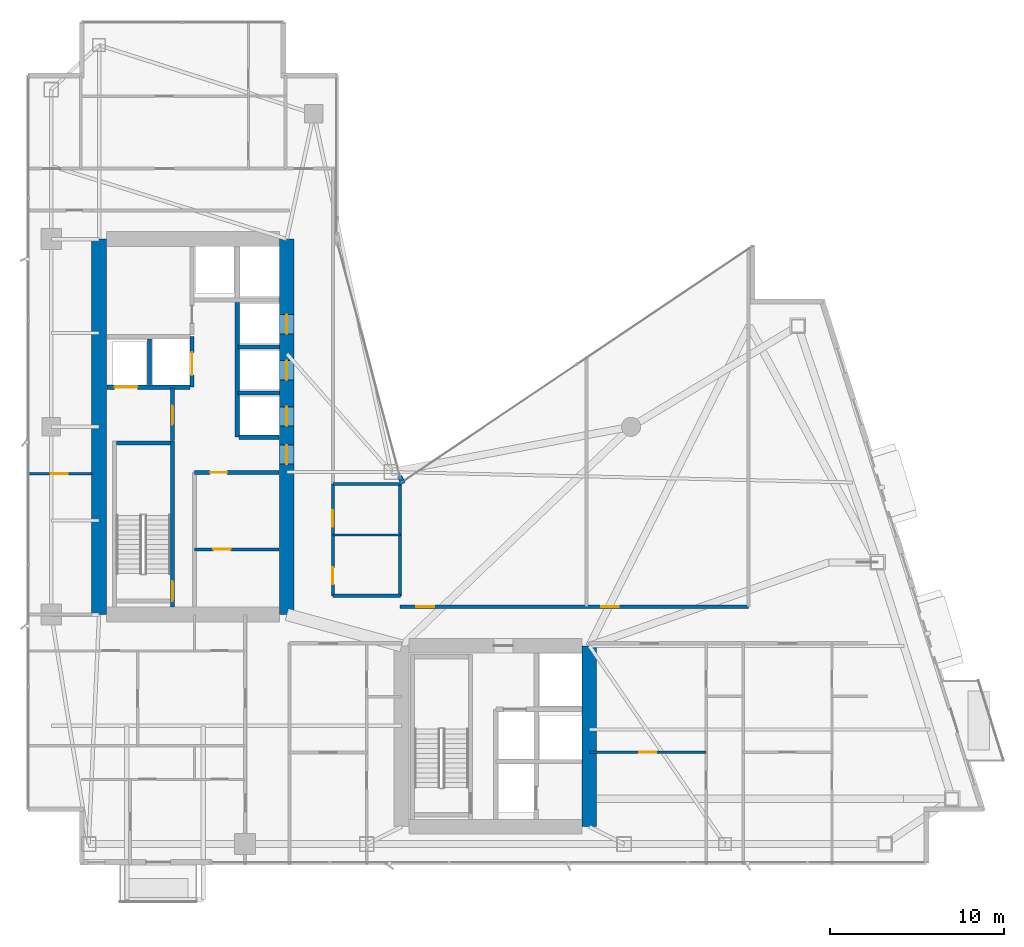
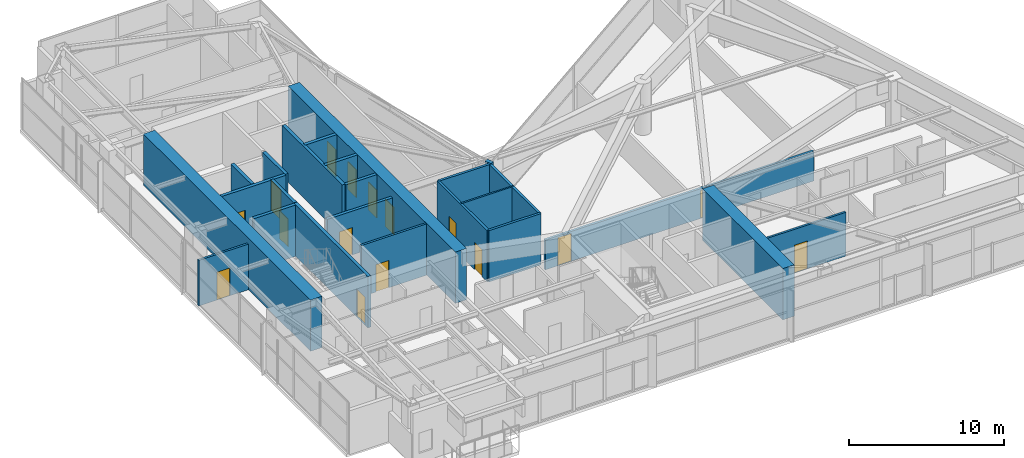
# One storey, part 25 of 30: 24 walls, 16 doors, 16 openings.
"""IFC4 building model written with IfcOpenShell, lengths in metres."""

import ifcopenshell
import ifcopenshell.guid

model = None  # the IFC model being written
_history = None  # IfcOwnerHistory: only IFC2X3 demands one
_inside = {}  # id of a spatial element -> (the spatial element, [elements in it])
_under = {}  # id of a project, library or spatial element -> (it, [spatial elements below it])
_declared = {}  # id of a project -> (the project, [libraries it declares])
_typed = {}  # id of a type object -> (the type object, [elements of that type])
_made_of = {}  # id of a material, layer set ... -> (it, [elements and type objects made of it])


def new_model(schema):
    """Start an empty IFC model of exactly this schema.

    Asked for "IFC4X3", IfcOpenShell would pick the latest addendum, in which some entities
    have other attributes; the version numbers below select the first issue.
    IFC2X3 requires an IfcOwnerHistory on every rooted entity: one is made here for all.
    """
    global model, _history
    if schema == "IFC4X3":
        model = ifcopenshell.file(schema_version=(4, 3, 0, 0))
    else:
        model = ifcopenshell.file(schema=schema)
    _inside.clear()
    _under.clear()
    _declared.clear()
    _typed.clear()
    _made_of.clear()
    _history = None
    if model.schema == "IFC2X3":
        org = make("IfcOrganization", Name="unknown")
        user = make(
            "IfcPersonAndOrganization",
            ThePerson=make("IfcPerson", FamilyName="unknown"),
            TheOrganization=org,
        )
        app = make(
            "IfcApplication",
            ApplicationDeveloper=org,
            Version="unknown",
            ApplicationFullName="unknown",
            ApplicationIdentifier="unknown",
        )
        _history = make(
            "IfcOwnerHistory",
            OwningUser=user,
            OwningApplication=app,
            ChangeAction="ADDED",
            CreationDate=0,
        )
    return model


def make(cls, **values):
    """One entity of the class cls with the attributes given. An attribute that is None is left unset."""
    return model.create_entity(
        cls, **{name: value for name, value in values.items() if value is not None}
    )


def rooted(cls, **values):
    """An entity with a GlobalId (a new one), such as an element, a storey or a relation."""
    return make(cls, GlobalId=ifcopenshell.guid.new(), OwnerHistory=_history, **values)


def si_unit(unit_type, name, prefix=None):
    """IfcSIUnit, for example si_unit("LENGTHUNIT", "METRE", prefix="MILLI")."""
    return make("IfcSIUnit", UnitType=unit_type, Prefix=prefix, Name=name)


def assignment(units):
    """IfcUnitAssignment: the units of a project."""
    return None if units is None else make("IfcUnitAssignment", Units=units)


def point(xyz):
    """IfcCartesianPoint."""
    return None if xyz is None else make("IfcCartesianPoint", Coordinates=xyz)


def direction(xyz):
    """IfcDirection."""
    return None if xyz is None else make("IfcDirection", DirectionRatios=xyz)


def frame(location, z_axis=None, x_axis=None):
    """IfcAxis2Placement3D, a coordinate frame: its origin and axes. An axis left out is left unset."""
    return make(
        "IfcAxis2Placement3D",
        Location=point(location),
        Axis=direction(z_axis),
        RefDirection=direction(x_axis),
    )


def frame_2d(location, x_axis=None):
    """IfcAxis2Placement2D, a coordinate frame in the plane: its origin and x axis."""
    return make(
        "IfcAxis2Placement2D", Location=point(location), RefDirection=direction(x_axis)
    )


def origin():
    """The frame at (0, 0, 0) with its axes left unset."""
    return frame((0.0, 0.0, 0.0))


def place(relative_to, where):
    """IfcLocalPlacement: puts the frame where relative to a parent placement (None: the world)."""
    return make(
        "IfcLocalPlacement", PlacementRelTo=relative_to, RelativePlacement=where
    )


def context(
    kind, dimensions, precision=None, world=None, true_north=None, identifier=None
):
    """IfcGeometricRepresentationContext, for example the 3D "Model" context."""
    return make(
        "IfcGeometricRepresentationContext",
        ContextIdentifier=identifier,
        ContextType=kind,
        CoordinateSpaceDimension=dimensions,
        Precision=precision,
        WorldCoordinateSystem=world,
        TrueNorth=true_north,
    )


def subcontext(parent, identifier, kind, view, scale=None):
    """IfcGeometricRepresentationSubContext, for example "Body" below "Model"."""
    return make(
        "IfcGeometricRepresentationSubContext",
        ContextIdentifier=identifier,
        ContextType=kind,
        ParentContext=parent,
        TargetScale=scale,
        TargetView=view,
    )


def project(units=None, contexts=None):
    """IfcProject with its units and contexts."""
    return rooted(
        "IfcProject",
        Name="project",
        RepresentationContexts=contexts,
        UnitsInContext=assignment(units),
    )


def spatial(cls, under=None, at=None, **own):
    """A site, building, storey or space (cls), placed at a placement, below another one or the project."""
    s = rooted(cls, ObjectPlacement=at, **own)
    if under is not None:
        _under.setdefault(under.id(), (under, []))[1].append(s)
    return s


def profile(cls, at=None, kind="AREA", **sizes):
    """A parametric profile (cls). Its sizes go by their IFC names, for example OverallWidth=200.0."""
    return make(cls, ProfileType=kind, Position=at, **sizes)


def rectangle(**sizes):
    """IfcRectangleProfileDef."""
    return profile("IfcRectangleProfileDef", **sizes)


def extrude(swept, where, along, depth):
    """IfcExtrudedAreaSolid: the profile swept, set in the frame where, extruded along a direction by depth."""
    return make(
        "IfcExtrudedAreaSolid",
        SweptArea=swept,
        Position=where,
        ExtrudedDirection=direction(along),
        Depth=depth,
    )


def shape(context_of_items, identifier, shape_type, items):
    """IfcShapeRepresentation: the items that make up one representation, for example the "Body"."""
    return make(
        "IfcShapeRepresentation",
        ContextOfItems=context_of_items,
        RepresentationIdentifier=identifier,
        RepresentationType=shape_type,
        Items=items,
    )


def material(Name=None, Category=None):
    """IfcMaterial."""
    return make("IfcMaterial", Name=Name, Category=Category)


def layer(
    of_material, thickness, ventilated=None, Name=None, Category=None, Priority=None
):
    """IfcMaterialLayer: one layer of a wall or slab, of a material (None: an air gap)."""
    return make(
        "IfcMaterialLayer",
        Material=of_material,
        LayerThickness=thickness,
        IsVentilated=ventilated,
        Name=Name,
        Category=Category,
        Priority=Priority,
    )


def layer_set(layers, Name=None):
    """IfcMaterialLayerSet."""
    return make("IfcMaterialLayerSet", MaterialLayers=layers, LayerSetName=Name)


def made_of(thing, what):
    """Note that an element or type object is made of a material, layer set ...; save() writes the relation."""
    if what is not None:
        _made_of.setdefault(what.id(), (what, []))[1].append(thing)
    return thing


def type_object(cls, material=None, **own):
    """A type object (cls), such as IfcWallType, which elements share."""
    return made_of(rooted(cls, **own), material)


def element(
    cls,
    number,
    at=None,
    inside=None,
    cuts=None,
    type_object=None,
    material=None,
    context=None,
    identifier="Body",
    shape_type=None,
    held_by="IfcProductDefinitionShape",
    body=None,
    shapes=None,
    **own,
):
    """One element of the class cls, such as IfcWall. Its Tag is "e" and its number.

    at: its placement. inside: the storey or other place that contains it. cuts: it is an
    opening in that element (IfcRelVoidsElement). A single representation is given by context,
    identifier, shape_type and body (its items); several are given by shapes. held_by: the class
    of the entity that holds the representations. save() writes the other relations.
    """
    e = rooted(cls, Tag="e%d" % number, ObjectPlacement=at, **own)
    if body is not None:
        shapes = [shape(context, identifier, shape_type, body)]
    if shapes is not None:
        e.Representation = make(held_by, Representations=shapes)
    if inside is not None:
        _inside.setdefault(inside.id(), (inside, []))[1].append(e)
    if cuts is not None:
        rooted(
            "IfcRelVoidsElement", RelatingBuildingElement=cuts, RelatedOpeningElement=e
        )
    if type_object is not None:
        _typed.setdefault(type_object.id(), (type_object, []))[1].append(e)
    return made_of(e, material)


def fill(opening, filler):
    """IfcRelFillsElement: the door or window that sits in an opening."""
    return rooted(
        "IfcRelFillsElement",
        RelatingOpeningElement=opening,
        RelatedBuildingElement=filler,
    )


def aggregate(whole, parts):
    """IfcRelAggregates: a whole, such as a stair, and the parts it consists of."""
    return rooted("IfcRelAggregates", RelatingObject=whole, RelatedObjects=parts)


def save(model, path):
    """Write the relations noted so far, then the file.

    IfcRelAggregates (storeys below a building ...), IfcRelContainedInSpatialStructure (elements
    in a storey), IfcRelDefinesByType, IfcRelAssociatesMaterial and IfcRelDeclares: one each for
    every whole, place, type object, material and project.
    """
    for whole, parts in _under.values():
        aggregate(whole, parts)
    for where, things in _inside.values():
        rooted(
            "IfcRelContainedInSpatialStructure",
            RelatedElements=things,
            RelatingStructure=where,
        )
    for kind, things in _typed.values():
        rooted("IfcRelDefinesByType", RelatedObjects=things, RelatingType=kind)
    for what, things in _made_of.values():
        rooted("IfcRelAssociatesMaterial", RelatedObjects=things, RelatingMaterial=what)
    for by, libraries in _declared.values():
        rooted("IfcRelDeclares", RelatingContext=by, RelatedDefinitions=libraries)
    model.write(path)


model = new_model("IFC4")

# Units and contexts
model_context = context("Model", 3, precision=1e-05, world=origin(), true_north=direction((0.0, 1.0)))
body_context = subcontext(model_context, "Body", "Model", "MODEL_VIEW")
ifc_project = project(units=[si_unit("LENGTHUNIT", "METRE"), si_unit("AREAUNIT", "SQUARE_METRE"), si_unit("VOLUMEUNIT", "CUBIC_METRE"), si_unit("PLANEANGLEUNIT", "RADIAN"), si_unit("MASSUNIT", "GRAM", prefix="KILO")], contexts=[model_context])

# Site, building, storey
site_placement = place(None, origin())
site = spatial("IfcSite", under=ifc_project, at=site_placement, CompositionType="ELEMENT")
building_placement = place(site_placement, origin())
building = spatial("IfcBuilding", under=site, at=building_placement, Name="Calvorn Quay Hotel", CompositionType="ELEMENT")
storey_placement = place(building_placement, frame((0.0, 0.0, 195.10009765625)))
storey = spatial("IfcBuildingStorey", under=building, at=storey_placement, Name="L48", CompositionType="ELEMENT", Elevation=195.10009765625)

# Wall
ifc_material_1 = material(Name="Concrete C50", Category="concrete")
ifc_layer_1 = layer(ifc_material_1, 0.85009765625)
ifc_layer_set_1 = layer_set([ifc_layer_1], Name="WL-CORE-850")
wall_type_1 = type_object("IfcWallType", Name="WL-CORE-850", PredefinedType="SHEAR", material=ifc_layer_set_1)
wall_1_placement = place(storey_placement, frame((4.199951171875, 16.800048828125, 0.0), z_axis=(0.0, 0.0, 1.0), x_axis=(0.0, 1.0, 0.0)))
element("IfcWall", 1, at=wall_1_placement, inside=storey, type_object=wall_type_1, Name="West Core Shear Wall W (L48)", PredefinedType="SHEAR", context=body_context, shape_type="SweptSolid", body=[
    extrude(rectangle(XDim=21.599853515625, YDim=0.85009765625, at=frame_2d((10.7998046875, 0.0))), origin(), (0.0, 0.0, 1.0), 4.0498046875),
])

# Wall, openings, doors
wall_2_placement = place(storey_placement, frame((15.0, 16.800048828125, 0.0), z_axis=(0.0, 0.0, 1.0), x_axis=(0.0, 1.0, 0.0)))
wall_2 = element("IfcWall", 2, at=wall_2_placement, inside=storey, type_object=wall_type_1, Name="West Core Shear Wall E (L48)", PredefinedType="SHEAR", context=body_context, shape_type="SweptSolid", body=[
    extrude(rectangle(XDim=21.599853515625, YDim=0.85009765625, at=frame_2d((10.7998046875, 0.0))), origin(), (0.0, 0.0, 1.0), 4.0498046875),
])
opening_1_placement = place(wall_2_placement, frame((8.64990234375, 0.0, 0.0)))
opening_1 = element("IfcOpeningElement", 3, at=opening_1_placement, cuts=wall_2, Name="Opening D-L48-CW1", PredefinedType="OPENING", context=body_context, shape_type="SweptSolid", body=[
    extrude(rectangle(XDim=1.10009765625, YDim=2.199951171875, at=frame_2d((0.550048828125, 1.10009765625))), frame((0.0, 0.43505859375, 0.0), z_axis=(0.0, -1.0, 0.0), x_axis=(1.0, 0.0, 0.0)), (0.0, 0.0, 1.0), 0.8701171875),
])
opening_2_placement = place(wall_2_placement, frame((10.85009765625, 0.0, 0.0)))
opening_2 = element("IfcOpeningElement", 4, at=opening_2_placement, cuts=wall_2, Name="Opening LD-L48-M1", PredefinedType="OPENING", context=body_context, shape_type="SweptSolid", body=[
    extrude(rectangle(XDim=1.10009765625, YDim=2.199951171875, at=frame_2d((0.550048828125, 1.10009765625))), frame((0.0, 0.43505859375, 0.0), z_axis=(0.0, -1.0, 0.0), x_axis=(1.0, 0.0, 0.0)), (0.0, 0.0, 1.0), 0.8701171875),
])
opening_3_placement = place(wall_2_placement, frame((13.5, 0.0, 0.0)))
opening_3 = element("IfcOpeningElement", 5, at=opening_3_placement, cuts=wall_2, Name="Opening LD-L48-M2", PredefinedType="OPENING", context=body_context, shape_type="SweptSolid", body=[
    extrude(rectangle(XDim=1.10009765625, YDim=2.199951171875, at=frame_2d((0.550048828125, 1.10009765625))), frame((0.0, 0.43505859375, 0.0), z_axis=(0.0, -1.0, 0.0), x_axis=(1.0, 0.0, 0.0)), (0.0, 0.0, 1.0), 0.8701171875),
])
opening_4_placement = place(wall_2_placement, frame((16.14990234375, 0.0, 0.0)))
opening_4 = element("IfcOpeningElement", 6, at=opening_4_placement, cuts=wall_2, Name="Opening LD-L48-M3", PredefinedType="OPENING", context=body_context, shape_type="SweptSolid", body=[
    extrude(rectangle(XDim=1.10009765625, YDim=2.199951171875, at=frame_2d((0.550048828125, 1.10009765625))), frame((0.0, 0.43505859375, 0.0), z_axis=(0.0, -1.0, 0.0), x_axis=(1.0, 0.0, 0.0)), (0.0, 0.0, 1.0), 0.8701171875),
])
ifc_material_2 = material(Name="Smoke-Sealed Steel Class A Fire Door", Category="steel")
door_type_1 = type_object("IfcDoorType", Name="DR-FFLOBBY-1100", OperationType="NOTDEFINED", PredefinedType="DOOR", material=ifc_material_2)
door_1_placement = place(opening_1_placement, origin())
door_1 = element("IfcDoor", 7, at=door_1_placement, inside=storey, type_object=door_type_1, Name="West Core Vestibule Fire Door (L48)", OperationType="SINGLE_SWING_LEFT", OverallHeight=2.199951171875, OverallWidth=1.10009765625, PredefinedType="DOOR", context=body_context, shape_type="SweptSolid", body=[
    extrude(rectangle(XDim=1.10009765625, YDim=2.199951171875, at=frame_2d((0.550048828125, 1.10009765625))), frame((0.0, 0.02490234375, 0.0), z_axis=(0.0, -1.0, 0.0), x_axis=(1.0, 0.0, 0.0)), (0.0, 0.0, 1.0), 0.050048828125),
])
fill(opening_1, door_1)
ifc_material_3 = material(Name="Brushed Stainless Steel Sliding Lift Landing Door", Category="steel")
door_type_2 = type_object("IfcDoorType", Name="DR-LIFT-PASS-1100", OperationType="NOTDEFINED", PredefinedType="DOOR", material=ifc_material_3)
door_2_placement = place(opening_2_placement, origin())
door_2 = element("IfcDoor", 8, at=door_2_placement, inside=storey, type_object=door_type_2, Name="Mid-Rise Lift PL-M1 Landing Door (L48)", OperationType="DOUBLE_DOOR_SLIDING", OverallHeight=2.199951171875, OverallWidth=1.10009765625, PredefinedType="DOOR", context=body_context, shape_type="SweptSolid", body=[
    extrude(rectangle(XDim=1.10009765625, YDim=2.199951171875, at=frame_2d((0.550048828125, 1.10009765625))), frame((0.0, 0.02490234375, 0.0), z_axis=(0.0, -1.0, 0.0), x_axis=(1.0, 0.0, 0.0)), (0.0, 0.0, 1.0), 0.050048828125),
])
fill(opening_2, door_2)
door_3_placement = place(opening_3_placement, origin())
door_3 = element("IfcDoor", 9, at=door_3_placement, inside=storey, type_object=door_type_2, Name="Mid-Rise Lift PL-M2 Landing Door (L48)", OperationType="DOUBLE_DOOR_SLIDING", OverallHeight=2.199951171875, OverallWidth=1.10009765625, PredefinedType="DOOR", context=body_context, shape_type="SweptSolid", body=[
    extrude(rectangle(XDim=1.10009765625, YDim=2.199951171875, at=frame_2d((0.550048828125, 1.10009765625))), frame((0.0, 0.02490234375, 0.0), z_axis=(0.0, -1.0, 0.0), x_axis=(1.0, 0.0, 0.0)), (0.0, 0.0, 1.0), 0.050048828125),
])
fill(opening_3, door_3)
door_4_placement = place(opening_4_placement, origin())
door_4 = element("IfcDoor", 10, at=door_4_placement, inside=storey, type_object=door_type_2, Name="Mid-Rise Lift PL-M3 Landing Door (L48)", OperationType="DOUBLE_DOOR_SLIDING", OverallHeight=2.199951171875, OverallWidth=1.10009765625, PredefinedType="DOOR", context=body_context, shape_type="SweptSolid", body=[
    extrude(rectangle(XDim=1.10009765625, YDim=2.199951171875, at=frame_2d((0.550048828125, 1.10009765625))), frame((0.0, 0.02490234375, 0.0), z_axis=(0.0, -1.0, 0.0), x_axis=(1.0, 0.0, 0.0)), (0.0, 0.0, 1.0), 0.050048828125),
])
fill(opening_4, door_4)

# Walls
wall_3_placement = place(storey_placement, frame((32.39990234375, 4.60009765625, 0.0), z_axis=(0.0, 0.0, 1.0), x_axis=(0.0, 1.0, 0.0)))
element("IfcWall", 11, at=wall_3_placement, inside=storey, type_object=wall_type_1, Name="East Core Shear Wall E (L48)", PredefinedType="SHEAR", context=body_context, shape_type="SweptSolid", body=[
    extrude(rectangle(XDim=10.39990234375, YDim=0.85009765625, at=frame_2d((5.199951171875, 0.0))), origin(), (0.0, 0.0, 1.0), 4.0498046875),
])
ifc_material_4 = material(Name="Acoustic Fireboard Steel-Stud Partition", Category="steel")
ifc_layer_2 = layer(ifc_material_4, 0.179931640625)
ifc_layer_set_2 = layer_set([ifc_layer_2], Name="WL-CORR-FIRE-180")
wall_type_2 = type_object("IfcWallType", Name="WL-CORR-FIRE-180", PredefinedType="PARTITIONING", material=ifc_layer_set_2)
wall_4_placement = place(storey_placement, frame((17.64990234375, 17.8798828125, 0.0), z_axis=(0.0, 0.0, 1.0), x_axis=(1.0, 0.0, 0.0)))
element("IfcWall", 12, at=wall_4_placement, inside=storey, type_object=wall_type_2, Name="Partition Wall L48-WL-HK-S", PredefinedType="PARTITIONING", context=body_context, shape_type="SweptSolid", body=[
    extrude(rectangle(XDim=3.900146484375, YDim=0.179931640625, at=frame_2d((1.9501953125, 0.0))), origin(), (0.0, 0.0, 1.0), 4.0498046875),
])
wall_5_placement = place(storey_placement, frame((17.64990234375, 24.320068359375, 0.0), z_axis=(0.0, 0.0, 1.0), x_axis=(1.0, 0.0, 0.0)))
element("IfcWall", 13, at=wall_5_placement, inside=storey, type_object=wall_type_2, Name="Partition Wall L48-WL-HK-N", PredefinedType="PARTITIONING", context=body_context, shape_type="SweptSolid", body=[
    extrude(rectangle(XDim=3.9501953125, YDim=0.179931640625, at=frame_2d((1.97509765625, 0.0))), origin(), (0.0, 0.0, 1.0), 4.0498046875),
])
wall_6_placement = place(storey_placement, frame((21.5, 17.8798828125, 0.0), z_axis=(0.0, 0.0, 1.0), x_axis=(0.0, 1.0, 0.0)))
element("IfcWall", 14, at=wall_6_placement, inside=storey, type_object=wall_type_2, Name="Partition Wall L48-WL-HK-E", PredefinedType="PARTITIONING", context=body_context, shape_type="SweptSolid", body=[
    extrude(rectangle(XDim=6.440185546875, YDim=0.179931640625, at=frame_2d((3.22021484375, 0.0))), origin(), (0.0, 0.0, 1.0), 4.0498046875),
])

# Wall, openings, doors
wall_7_placement = place(storey_placement, frame((17.64990234375, 17.8798828125, 0.0), z_axis=(0.0, 0.0, 1.0), x_axis=(0.0, 1.0, 0.0)))
wall_7 = element("IfcWall", 15, at=wall_7_placement, inside=storey, type_object=wall_type_2, Name="Partition Wall L48-WL-HK-W", PredefinedType="PARTITIONING", context=body_context, shape_type="SweptSolid", body=[
    extrude(rectangle(XDim=6.440185546875, YDim=0.179931640625, at=frame_2d((3.22021484375, 0.0))), origin(), (0.0, 0.0, 1.0), 4.0498046875),
])
opening_5_placement = place(wall_7_placement, frame((0.64990234375, 0.0, 0.0)))
opening_5 = element("IfcOpeningElement", 16, at=opening_5_placement, cuts=wall_7, Name="Opening D-L48-HK", PredefinedType="OPENING", context=body_context, shape_type="SweptSolid", body=[
    extrude(rectangle(XDim=0.97998046875, YDim=2.14990234375, at=frame_2d((0.489990234375, 1.074951171875))), frame((0.0, 0.099853515625, 0.0), z_axis=(0.0, -1.0, 0.0), x_axis=(1.0, 0.0, 0.0)), (0.0, 0.0, 1.0), 0.199951171875),
])
opening_6_placement = place(wall_7_placement, frame((3.969970703125, 0.0, 0.0)))
opening_6 = element("IfcOpeningElement", 17, at=opening_6_placement, cuts=wall_7, Name="Opening D-L48-NCP", PredefinedType="OPENING", context=body_context, shape_type="SweptSolid", body=[
    extrude(rectangle(XDim=0.9599609375, YDim=2.199951171875, at=frame_2d((0.47998046875, 1.10009765625))), frame((0.0, 0.099853515625, 0.0), z_axis=(0.0, -1.0, 0.0), x_axis=(1.0, 0.0, 0.0)), (0.0, 0.0, 1.0), 0.199951171875),
])
ifc_material_5 = material(Name="Painted Steel Housekeeping/Riser Fire Door", Category="steel")
door_type_3 = type_object("IfcDoorType", Name="DR-SERVICE-980", OperationType="NOTDEFINED", PredefinedType="DOOR", material=ifc_material_5)
door_5_placement = place(opening_5_placement, origin())
door_5 = element("IfcDoor", 18, at=door_5_placement, inside=storey, type_object=door_type_3, Name="Floor Housekeeping Door (L48)", OperationType="SINGLE_SWING_LEFT", OverallHeight=2.14990234375, OverallWidth=0.97998046875, PredefinedType="DOOR", context=body_context, shape_type="SweptSolid", body=[
    extrude(rectangle(XDim=0.97998046875, YDim=2.14990234375, at=frame_2d((0.489990234375, 1.074951171875))), frame((0.0, 0.02490234375, 0.0), z_axis=(0.0, -1.0, 0.0), x_axis=(1.0, 0.0, 0.0)), (0.0, 0.0, 1.0), 0.050048828125),
])
fill(opening_5, door_5)
ifc_material_6 = material(Name="Solid Timber Internal Suite Door", Category="wood")
door_type_4 = type_object("IfcDoorType", Name="DR-SUITE-INT-960", OperationType="NOTDEFINED", PredefinedType="DOOR", material=ifc_material_6)
door_6_placement = place(opening_6_placement, origin())
door_6 = element("IfcDoor", 19, at=door_6_placement, inside=storey, type_object=door_type_4, Name="Reading Alcove Door (L48)", OperationType="SINGLE_SWING_RIGHT", OverallHeight=2.199951171875, OverallWidth=0.9599609375, PredefinedType="DOOR", context=body_context, shape_type="SweptSolid", body=[
    extrude(rectangle(XDim=0.9599609375, YDim=2.199951171875, at=frame_2d((0.47998046875, 1.10009765625))), frame((0.0, 0.02490234375, 0.0), z_axis=(0.0, -1.0, 0.0), x_axis=(1.0, 0.0, 0.0)), (0.0, 0.0, 1.0), 0.050048828125),
])
fill(opening_6, door_6)

wall_8_placement = place(storey_placement, frame((21.5, 17.25, 0.0), z_axis=(0.0, 0.0, 1.0), x_axis=(1.0, 0.0, 0.0)))
wall_8 = element("IfcWall", 20, at=wall_8_placement, inside=storey, type_object=wall_type_2, Name="Partition Wall L48-WL-CORR-NE-N", PredefinedType="PARTITIONING", context=body_context, shape_type="SweptSolid", body=[
    extrude(rectangle(XDim=20.050048828125, YDim=0.179931640625, at=frame_2d((10.02490234375, 0.0))), origin(), (0.0, 0.0, 1.0), 2.349853515625),
])
opening_7_placement = place(wall_8_placement, frame((0.949951171875, 0.0, 0.0)))
opening_7 = element("IfcOpeningElement", 21, at=opening_7_placement, cuts=wall_8, Name="Opening D-L48-NS1", PredefinedType="OPENING", context=body_context, shape_type="SweptSolid", body=[
    extrude(rectangle(XDim=1.02001953125, YDim=2.199951171875, at=frame_2d((0.510009765625, 1.10009765625))), frame((0.0, 0.099853515625, 0.0), z_axis=(0.0, -1.0, 0.0), x_axis=(1.0, 0.0, 0.0)), (0.0, 0.0, 1.0), 0.199951171875),
])
opening_8_placement = place(wall_8_placement, frame((11.580078125, 0.0, 0.0)))
opening_8 = element("IfcOpeningElement", 22, at=opening_8_placement, cuts=wall_8, Name="Opening D-L48-NS2", PredefinedType="OPENING", context=body_context, shape_type="SweptSolid", body=[
    extrude(rectangle(XDim=1.02001953125, YDim=2.199951171875, at=frame_2d((0.510009765625, 1.10009765625))), frame((0.0, 0.099853515625, 0.0), z_axis=(0.0, -1.0, 0.0), x_axis=(1.0, 0.0, 0.0)), (0.0, 0.0, 1.0), 0.199951171875),
])
ifc_material_7 = material(Name="Solid-Core Walnut Veneer Hotel Fire Door")
door_type_5 = type_object("IfcDoorType", Name="DR-GUEST-ENTRY-1020", OperationType="NOTDEFINED", PredefinedType="DOOR", material=ifc_material_7)
door_7_placement = place(opening_7_placement, origin())
door_7 = element("IfcDoor", 23, at=door_7_placement, inside=storey, type_object=door_type_5, Name="Conservatory Salon Door 1 (L48)", OperationType="SINGLE_SWING_RIGHT", OverallHeight=2.199951171875, OverallWidth=1.02001953125, PredefinedType="DOOR", context=body_context, shape_type="SweptSolid", body=[
    extrude(rectangle(XDim=1.02001953125, YDim=2.199951171875, at=frame_2d((0.510009765625, 1.10009765625))), frame((0.0, 0.02490234375, 0.0), z_axis=(0.0, -1.0, 0.0), x_axis=(1.0, 0.0, 0.0)), (0.0, 0.0, 1.0), 0.050048828125),
])
fill(opening_7, door_7)
door_8_placement = place(opening_8_placement, origin())
door_8 = element("IfcDoor", 24, at=door_8_placement, inside=storey, type_object=door_type_5, Name="Conservatory Salon Door 2 (L48)", OperationType="SINGLE_SWING_LEFT", OverallHeight=2.199951171875, OverallWidth=1.02001953125, PredefinedType="DOOR", context=body_context, shape_type="SweptSolid", body=[
    extrude(rectangle(XDim=1.02001953125, YDim=2.199951171875, at=frame_2d((0.510009765625, 1.10009765625))), frame((0.0, 0.02490234375, 0.0), z_axis=(0.0, -1.0, 0.0), x_axis=(1.0, 0.0, 0.0)), (0.0, 0.0, 1.0), 0.050048828125),
])
fill(opening_8, door_8)

# Walls
ifc_material_8 = material(Name="Moisture-Resistant Tile-Backed Partition")
ifc_layer_3 = layer(ifc_material_8, 0.125)
ifc_layer_set_3 = layer_set([ifc_layer_3], Name="WL-ENSUITE-125")
wall_type_3 = type_object("IfcWallType", Name="WL-ENSUITE-125", PredefinedType="PARTITIONING", material=ifc_layer_set_3)
wall_9_placement = place(storey_placement, frame((17.64990234375, 21.3798828125, 0.0), z_axis=(0.0, 0.0, 1.0), x_axis=(1.0, 0.0, 0.0)))
element("IfcWall", 25, at=wall_9_placement, inside=storey, type_object=wall_type_3, Name="Partition Wall L48-WL-HK-M", PredefinedType="PARTITIONING", context=body_context, shape_type="SweptSolid", body=[
    extrude(rectangle(XDim=3.900146484375, YDim=0.125, at=frame_2d((1.9501953125, 0.0))), origin(), (0.0, 0.0, 1.0), 4.0498046875),
])
ifc_material_9 = material(Name="Concrete C40", Category="concrete")
ifc_layer_4 = layer(ifc_material_9, 0.320068359375)
ifc_layer_set_4 = layer_set([ifc_layer_4], Name="WL-EXT-SPANDREL-320")
wall_type_4 = type_object("IfcWallType", Name="WL-EXT-SPANDREL-320", PredefinedType="SOLIDWALL", material=ifc_layer_set_4)
wall_10_placement = place(storey_placement, frame((21.679931640625, 24.340087890625, 0.0), z_axis=(0.0, 0.0, 1.0), x_axis=(-0.40758134973, 0.913168901875, 0.0)))
element("IfcWall", 26, at=wall_10_placement, inside=storey, type_object=wall_type_4, Name="Inner Court Corner Pier L48-ICJ1", PredefinedType="SOLIDWALL", context=body_context, shape_type="SweptSolid", body=[
    extrude(rectangle(XDim=0.470703125, YDim=0.280029296875, at=frame_2d((0.2353515625, 0.0))), origin(), (0.0, 0.0, 1.0), 4.0498046875),
])

# Wall, opening, door
ifc_material_10 = material(Name="Double-Stud Acoustic Gypsum Partition")
ifc_layer_5 = layer(ifc_material_10, 0.159912109375)
ifc_layer_set_5 = layer_set([ifc_layer_5], Name="WL-INTERSUITE-160")
wall_type_5 = type_object("IfcWallType", Name="WL-INTERSUITE-160", PredefinedType="PARTITIONING", material=ifc_layer_set_5)
wall_11_placement = place(storey_placement, frame((9.679931640625, 20.550048828125, 0.0), z_axis=(0.0, 0.0, 1.0), x_axis=(1.0, 0.0, 0.0)))
wall_11 = element("IfcWall", 27, at=wall_11_placement, inside=storey, type_object=wall_type_5, Name="Partition Wall L48-WL-CWW-FR-SPLIT", PredefinedType="PARTITIONING", context=body_context, shape_type="SweptSolid", body=[
    extrude(rectangle(XDim=4.875, YDim=0.159912109375, at=frame_2d((2.4375, 0.0))), origin(), (0.0, 0.0, 1.0), 4.0498046875),
])
opening_9_placement = place(wall_11_placement, frame((1.10009765625, 0.0, 0.0)))
opening_9 = element("IfcOpeningElement", 28, at=opening_9_placement, cuts=wall_11, Name="Opening D-L48-FRL1", PredefinedType="OPENING", context=body_context, shape_type="SweptSolid", body=[
    extrude(rectangle(XDim=0.97998046875, YDim=2.14990234375, at=frame_2d((0.489990234375, 1.074951171875))), frame((0.0, 0.08984375, 0.0), z_axis=(0.0, -1.0, 0.0), x_axis=(1.0, 0.0, 0.0)), (0.0, 0.0, 1.0), 0.179931640625),
])
door_9_placement = place(opening_9_placement, origin())
door_9 = element("IfcDoor", 29, at=door_9_placement, inside=storey, type_object=door_type_3, Name="Linen Store Room Door (L48)", OperationType="SINGLE_SWING_LEFT", OverallHeight=2.14990234375, OverallWidth=0.97998046875, PredefinedType="DOOR", context=body_context, shape_type="SweptSolid", body=[
    extrude(rectangle(XDim=0.97998046875, YDim=2.14990234375, at=frame_2d((0.489990234375, 1.074951171875))), frame((0.0, 0.02490234375, 0.0), z_axis=(0.0, -1.0, 0.0), x_axis=(1.0, 0.0, 0.0)), (0.0, 0.0, 1.0), 0.050048828125),
])
fill(opening_9, door_9)

wall_12_placement = place(storey_placement, frame((0.080078125, 24.89990234375, 0.0), z_axis=(0.0, 0.0, 1.0), x_axis=(1.0, 0.0, 0.0)))
wall_12 = element("IfcWall", 30, at=wall_12_placement, inside=storey, type_object=wall_type_5, Name="Partition Wall L48-WL-WBAY-DIV", PredefinedType="PARTITIONING", context=body_context, shape_type="SweptSolid", body=[
    extrude(rectangle(XDim=3.724853515625, YDim=0.159912109375, at=frame_2d((1.8623046875, 0.0))), origin(), (0.0, 0.0, 1.0), 3.599853515625),
])
opening_10_placement = place(wall_12_placement, frame((1.35009765625, 0.0, 0.0)))
opening_10 = element("IfcOpeningElement", 31, at=opening_10_placement, cuts=wall_12, Name="Opening D-L48-WBD", PredefinedType="OPENING", context=body_context, shape_type="SweptSolid", body=[
    extrude(rectangle(XDim=0.9599609375, YDim=2.199951171875, at=frame_2d((0.47998046875, 1.10009765625))), frame((0.0, 0.08984375, 0.0), z_axis=(0.0, -1.0, 0.0), x_axis=(1.0, 0.0, 0.0)), (0.0, 0.0, 1.0), 0.179931640625),
])
door_10_placement = place(opening_10_placement, origin())
door_10 = element("IfcDoor", 32, at=door_10_placement, inside=storey, type_object=door_type_4, Name="West Bay Connecting Door (L48)", OperationType="SINGLE_SWING_LEFT", OverallHeight=2.199951171875, OverallWidth=0.9599609375, PredefinedType="DOOR", context=body_context, shape_type="SweptSolid", body=[
    extrude(rectangle(XDim=0.9599609375, YDim=2.199951171875, at=frame_2d((0.47998046875, 1.10009765625))), frame((0.0, 0.02490234375, 0.0), z_axis=(0.0, -1.0, 0.0), x_axis=(1.0, 0.0, 0.0)), (0.0, 0.0, 1.0), 0.050048828125),
])
fill(opening_10, door_10)

wall_13_placement = place(storey_placement, frame((32.39990234375, 8.8798828125, 0.0), z_axis=(0.0, 0.0, 1.0), x_axis=(1.0, 0.0, 0.0)))
wall_13 = element("IfcWall", 33, at=wall_13_placement, inside=storey, type_object=wall_type_5, Name="Partition Wall L48-WL-U05-MSP", PredefinedType="PARTITIONING", context=body_context, shape_type="SweptSolid", body=[
    extrude(rectangle(XDim=6.72021484375, YDim=0.159912109375, at=frame_2d((3.360107421875, 0.0))), origin(), (0.0, 0.0, 1.0), 3.449951171875),
])
opening_11_placement = place(wall_13_placement, frame((2.8798828125, 0.0, 0.0)))
opening_11 = element("IfcOpeningElement", 34, at=opening_11_placement, cuts=wall_13, Name="Opening D-L48-M05", PredefinedType="OPENING", context=body_context, shape_type="SweptSolid", body=[
    extrude(rectangle(XDim=0.9599609375, YDim=2.199951171875, at=frame_2d((0.47998046875, 1.10009765625))), frame((0.0, 0.08984375, 0.0), z_axis=(0.0, -1.0, 0.0), x_axis=(1.0, 0.0, 0.0)), (0.0, 0.0, 1.0), 0.179931640625),
])
door_11_placement = place(opening_11_placement, origin())
door_11 = element("IfcDoor", 35, at=door_11_placement, inside=storey, type_object=door_type_4, Name="Suite Bedroom Door 05", OperationType="SINGLE_SWING_LEFT", OverallHeight=2.199951171875, OverallWidth=0.9599609375, PredefinedType="DOOR", context=body_context, shape_type="SweptSolid", body=[
    extrude(rectangle(XDim=0.9599609375, YDim=2.199951171875, at=frame_2d((0.47998046875, 1.10009765625))), frame((0.0, 0.02490234375, 0.0), z_axis=(0.0, -1.0, 0.0), x_axis=(1.0, 0.0, 0.0)), (0.0, 0.0, 1.0), 0.050048828125),
])
fill(opening_11, door_11)

ifc_material_11 = material(Name="Autoclaved Aerated Masonry Block", Category="masonry")
ifc_layer_6 = layer(ifc_material_11, 0.219970703125)
ifc_layer_set_6 = layer_set([ifc_layer_6], Name="WL-LOBBY-FIRE-220")
wall_type_6 = type_object("IfcWallType", Name="WL-LOBBY-FIRE-220", PredefinedType="SOLIDWALL", material=ifc_layer_set_6)
wall_14_placement = place(storey_placement, frame((9.679931640625, 24.969970703125, 0.0), z_axis=(0.0, 0.0, 1.0), x_axis=(1.0, 0.0, 0.0)))
wall_14 = element("IfcWall", 36, at=wall_14_placement, inside=storey, type_object=wall_type_6, Name="Partition Wall L48-WL-CWW-FR-N", PredefinedType="SOLIDWALL", context=body_context, shape_type="SweptSolid", body=[
    extrude(rectangle(XDim=4.875, YDim=0.219970703125, at=frame_2d((2.4375, 0.0))), origin(), (0.0, 0.0, 1.0), 3.449951171875),
])
opening_12_placement = place(wall_14_placement, frame((0.89990234375, 0.0, 0.0)))
opening_12 = element("IfcOpeningElement", 37, at=opening_12_placement, cuts=wall_14, Name="Opening D-L48-FRL2", PredefinedType="OPENING", context=body_context, shape_type="SweptSolid", body=[
    extrude(rectangle(XDim=0.97998046875, YDim=2.14990234375, at=frame_2d((0.489990234375, 1.074951171875))), frame((0.0, 0.119873046875, 0.0), z_axis=(0.0, -1.0, 0.0), x_axis=(1.0, 0.0, 0.0)), (0.0, 0.0, 1.0), 0.239990234375),
])
door_12_placement = place(opening_12_placement, origin())
door_12 = element("IfcDoor", 38, at=door_12_placement, inside=storey, type_object=door_type_3, Name="Beverage Pantry Door (L48)", OperationType="SINGLE_SWING_RIGHT", OverallHeight=2.14990234375, OverallWidth=0.97998046875, PredefinedType="DOOR", context=body_context, shape_type="SweptSolid", body=[
    extrude(rectangle(XDim=0.97998046875, YDim=2.14990234375, at=frame_2d((0.489990234375, 1.074951171875))), frame((0.0, 0.02490234375, 0.0), z_axis=(0.0, -1.0, 0.0), x_axis=(1.0, 0.0, 0.0)), (0.0, 0.0, 1.0), 0.050048828125),
])
fill(opening_12, door_12)

ifc_material_12 = material(Name="Concrete C40", Category="concrete")
ifc_layer_7 = layer(ifc_material_12, 0.239990234375)
ifc_layer_set_7 = layer_set([ifc_layer_7], Name="WL-SHAFT-240")
wall_type_7 = type_object("IfcWallType", Name="WL-SHAFT-240", PredefinedType="SOLIDWALL", material=ifc_layer_set_7)
wall_15_placement = place(storey_placement, frame((8.419921875, 17.22509765625, 0.0), z_axis=(0.0, 0.0, 1.0), x_axis=(0.0, 1.0, 0.0)))
wall_15 = element("IfcWall", 39, at=wall_15_placement, inside=storey, type_object=wall_type_7, Name="Stair STW Shaft Wall E (L48)", PredefinedType="SOLIDWALL", context=body_context, shape_type="SweptSolid", body=[
    extrude(rectangle(XDim=9.56494140625, YDim=0.239990234375, at=frame_2d((4.782470703125, 0.0))), origin(), (0.0, 0.0, 1.0), 4.0498046875),
])
opening_13_placement = place(wall_15_placement, frame((0.35009765625, 0.0, 0.0)))
opening_13 = element("IfcOpeningElement", 40, at=opening_13_placement, cuts=wall_15, Name="Opening D-L48-STW", PredefinedType="OPENING", context=body_context, shape_type="SweptSolid", body=[
    extrude(rectangle(XDim=1.14990234375, YDim=2.199951171875, at=frame_2d((0.574951171875, 1.10009765625))), frame((0.0, 0.1298828125, 0.0), z_axis=(0.0, -1.0, 0.0), x_axis=(1.0, 0.0, 0.0)), (0.0, 0.0, 1.0), 0.260009765625),
])
ifc_material_13 = material(Name="Galvanised Steel Class A Fire Door", Category="steel")
door_type_6 = type_object("IfcDoorType", Name="DR-STAIR-SMOKE-1150", OperationType="NOTDEFINED", PredefinedType="DOOR", material=ifc_material_13)
door_13_placement = place(opening_13_placement, origin())
door_13 = element("IfcDoor", 41, at=door_13_placement, inside=storey, type_object=door_type_6, Name="Stair ST-W Fire Door (L48)", OperationType="SINGLE_SWING_LEFT", OverallHeight=2.199951171875, OverallWidth=1.14990234375, PredefinedType="DOOR", context=body_context, shape_type="SweptSolid", body=[
    extrude(rectangle(XDim=1.14990234375, YDim=2.199951171875, at=frame_2d((0.574951171875, 1.10009765625))), frame((0.0, 0.02490234375, 0.0), z_axis=(0.0, -1.0, 0.0), x_axis=(1.0, 0.0, 0.0)), (0.0, 0.0, 1.0), 0.050048828125),
])
fill(opening_13, door_13)

# Walls
wall_16_placement = place(storey_placement, frame((5.199951171875, 26.669921875, 0.0), z_axis=(0.0, 0.0, 1.0), x_axis=(1.0, 0.0, 0.0)))
element("IfcWall", 42, at=wall_16_placement, inside=storey, type_object=wall_type_7, Name="Stair STW Shaft Wall N (L48)", PredefinedType="SOLIDWALL", context=body_context, shape_type="SweptSolid", body=[
    extrude(rectangle(XDim=3.10009765625, YDim=0.239990234375, at=frame_2d((1.550048828125, 0.0))), origin(), (0.0, 0.0, 1.0), 4.0498046875),
])
for number, where, z_axis, x_axis, name in (
    (43, (12.179931640625, 29.550048828125, 0.0), (0.0, 0.0, 1.0), (1.0, 0.0, 0.0), "Lift Hoistway Divider Wall PLM12 (L48)"),
    (44, (12.179931640625, 32.199951171875, 0.0), (0.0, 0.0, 1.0), (1.0, 0.0, 0.0), "Lift Hoistway Divider Wall PLM23 (L48)"),
):
    element("IfcWall", number, at=place(storey_placement, frame(where, z_axis=z_axis, x_axis=x_axis)), inside=storey, type_object=wall_type_7, Name=name, PredefinedType="SOLIDWALL", context=body_context, shape_type="SweptSolid", body=[
        extrude(rectangle(XDim=2.39501953125, YDim=0.239990234375, at=frame_2d((1.197509765625, 0.0))), origin(), (0.0, 0.0, 1.0), 4.0498046875),
    ])

# Wall, opening, door
wall_17_placement = place(storey_placement, frame((8.419921875, 26.820068359375, 0.0), z_axis=(0.0, 0.0, 1.0), x_axis=(0.0, 1.0, 0.0)))
wall_17 = element("IfcWall", 45, at=wall_17_placement, inside=storey, type_object=wall_type_7, Name="Partition Wall L48-WL-CWW-FFL-E", PredefinedType="SOLIDWALL", context=body_context, shape_type="SweptSolid", body=[
    extrude(rectangle(XDim=3.0, YDim=0.239990234375, at=frame_2d((1.5, 0.0))), origin(), (0.0, 0.0, 1.0), 4.0498046875),
])
opening_14_placement = place(wall_17_placement, frame((0.89990234375, 0.0, 0.0)))
opening_14 = element("IfcOpeningElement", 46, at=opening_14_placement, cuts=wall_17, Name="Opening D-L48-FLW", PredefinedType="OPENING", context=body_context, shape_type="SweptSolid", body=[
    extrude(rectangle(XDim=1.10009765625, YDim=2.199951171875, at=frame_2d((0.550048828125, 1.10009765625))), frame((0.0, 0.1298828125, 0.0), z_axis=(0.0, -1.0, 0.0), x_axis=(1.0, 0.0, 0.0)), (0.0, 0.0, 1.0), 0.260009765625),
])
door_14_placement = place(opening_14_placement, origin())
door_14 = element("IfcDoor", 47, at=door_14_placement, inside=storey, type_object=door_type_1, Name="West Firefighting Lobby Fire Door (L48)", OperationType="SINGLE_SWING_RIGHT", OverallHeight=2.199951171875, OverallWidth=1.10009765625, PredefinedType="DOOR", context=body_context, shape_type="SweptSolid", body=[
    extrude(rectangle(XDim=1.10009765625, YDim=2.199951171875, at=frame_2d((0.550048828125, 1.10009765625))), frame((0.0, 0.02490234375, 0.0), z_axis=(0.0, -1.0, 0.0), x_axis=(1.0, 0.0, 0.0)), (0.0, 0.0, 1.0), 0.050048828125),
])
fill(opening_14, door_14)

wall_18_placement = place(storey_placement, frame((4.64501953125, 29.8798828125, 0.0), z_axis=(0.0, 0.0, 1.0), x_axis=(1.0, 0.0, 0.0)))
wall_18 = element("IfcWall", 48, at=wall_18_placement, inside=storey, type_object=wall_type_7, Name="Partition Wall L48-WL-CWW-FLW-S", PredefinedType="SOLIDWALL", context=body_context, shape_type="SweptSolid", body=[
    extrude(rectangle(XDim=4.77490234375, YDim=0.239990234375, at=frame_2d((2.387451171875, 0.0))), origin(), (0.0, 0.0, 1.0), 4.0498046875),
])
opening_15_placement = place(wall_18_placement, frame((0.449951171875, 0.0, 0.0)))
opening_15 = element("IfcOpeningElement", 49, at=opening_15_placement, cuts=wall_18, Name="Opening LD-L48-FLW1", PredefinedType="OPENING", context=body_context, shape_type="SweptSolid", body=[
    extrude(rectangle(XDim=1.300048828125, YDim=2.35009765625, at=frame_2d((0.64990234375, 1.175048828125))), frame((0.0, 0.1298828125, 0.0), z_axis=(0.0, -1.0, 0.0), x_axis=(1.0, 0.0, 0.0)), (0.0, 0.0, 1.0), 0.260009765625),
])
ifc_material_14 = material(Name="Champagne-Bronze Sliding Express Lift Landing Door")
door_type_7 = type_object("IfcDoorType", Name="DR-LIFT-SHUTTLE-1300", OperationType="NOTDEFINED", PredefinedType="DOOR", material=ifc_material_14)
door_15_placement = place(opening_15_placement, origin())
door_15 = element("IfcDoor", 50, at=door_15_placement, inside=storey, type_object=door_type_7, Name="Firefighting Lift FL-W1 Landing Door (L48)", OperationType="DOUBLE_DOOR_SLIDING", OverallHeight=2.35009765625, OverallWidth=1.300048828125, PredefinedType="DOOR", context=body_context, shape_type="SweptSolid", body=[
    extrude(rectangle(XDim=1.300048828125, YDim=2.35009765625, at=frame_2d((0.64990234375, 1.175048828125))), frame((0.0, 0.02490234375, 0.0), z_axis=(0.0, -1.0, 0.0), x_axis=(1.0, 0.0, 0.0)), (0.0, 0.0, 1.0), 0.050048828125),
])
fill(opening_15, door_15)

# Wall
wall_19_placement = place(storey_placement, frame((7.10009765625, 30.02001953125, 0.0), z_axis=(0.0, 0.0, 1.0), x_axis=(0.0, 1.0, 0.0)))
element("IfcWall", 51, at=wall_19_placement, inside=storey, type_object=wall_type_7, Name="Partition Wall L48-WL-CWW-FLW-DIV", PredefinedType="SOLIDWALL", context=body_context, shape_type="SweptSolid", body=[
    extrude(rectangle(XDim=2.6298828125, YDim=0.239990234375, at=frame_2d((1.31494140625, 0.0))), origin(), (0.0, 0.0, 1.0), 4.0498046875),
])

# Wall, opening, door
wall_20_placement = place(storey_placement, frame((9.5400390625, 29.8798828125, 0.0), z_axis=(0.0, 0.0, 1.0), x_axis=(0.0, 1.0, 0.0)))
wall_20 = element("IfcWall", 52, at=wall_20_placement, inside=storey, type_object=wall_type_7, Name="Partition Wall L48-WL-CWW-SLW-E", PredefinedType="SOLIDWALL", context=body_context, shape_type="SweptSolid", body=[
    extrude(rectangle(XDim=2.900146484375, YDim=0.239990234375, at=frame_2d((1.4501953125, 0.0))), origin(), (0.0, 0.0, 1.0), 4.0498046875),
])
opening_16_placement = place(wall_20_placement, frame((0.699951171875, 0.0, 0.0)))
opening_16 = element("IfcOpeningElement", 53, at=opening_16_placement, cuts=wall_20, Name="Opening LD-L48-SLW1", PredefinedType="OPENING", context=body_context, shape_type="SweptSolid", body=[
    extrude(rectangle(XDim=1.300048828125, YDim=2.35009765625, at=frame_2d((0.64990234375, 1.175048828125))), frame((0.0, 0.1298828125, 0.0), z_axis=(0.0, -1.0, 0.0), x_axis=(1.0, 0.0, 0.0)), (0.0, 0.0, 1.0), 0.260009765625),
])
door_16_placement = place(opening_16_placement, origin())
door_16 = element("IfcDoor", 54, at=door_16_placement, inside=storey, type_object=door_type_7, Name="Service Lift SL-W1 Landing Door (L48)", OperationType="DOUBLE_DOOR_SLIDING", OverallHeight=2.35009765625, OverallWidth=1.300048828125, PredefinedType="DOOR", context=body_context, shape_type="SweptSolid", body=[
    extrude(rectangle(XDim=1.300048828125, YDim=2.35009765625, at=frame_2d((0.64990234375, 1.175048828125))), frame((0.0, 0.02490234375, 0.0), z_axis=(0.0, -1.0, 0.0), x_axis=(1.0, 0.0, 0.0)), (0.0, 0.0, 1.0), 0.050048828125),
])
fill(opening_16, door_16)

# Walls
wall_21_placement = place(storey_placement, frame((12.25, 27.0, 0.0), z_axis=(0.0, 0.0, 1.0), x_axis=(1.0, 0.0, 0.0)))
element("IfcWall", 55, at=wall_21_placement, inside=storey, type_object=wall_type_7, Name="Partition Wall L48-WL-CWW-PLM-S", PredefinedType="SOLIDWALL", context=body_context, shape_type="SweptSolid", body=[
    extrude(rectangle(XDim=2.304931640625, YDim=0.239990234375, at=frame_2d((1.15234375, 0.0))), origin(), (0.0, 0.0, 1.0), 4.0498046875),
])
wall_22_placement = place(storey_placement, frame((12.14990234375, 27.0, 0.0), z_axis=(0.0, 0.0, 1.0), x_axis=(0.0, 1.0, 0.0)))
element("IfcWall", 56, at=wall_22_placement, inside=storey, type_object=wall_type_7, Name="Partition Wall L48-WL-CWW-PLM-W", PredefinedType="SOLIDWALL", context=body_context, shape_type="SweptSolid", body=[
    extrude(rectangle(XDim=7.75, YDim=0.239990234375, at=frame_2d((3.875, 0.0))), origin(), (0.0, 0.0, 1.0), 4.0498046875),
])

save(model, "model.ifc")
